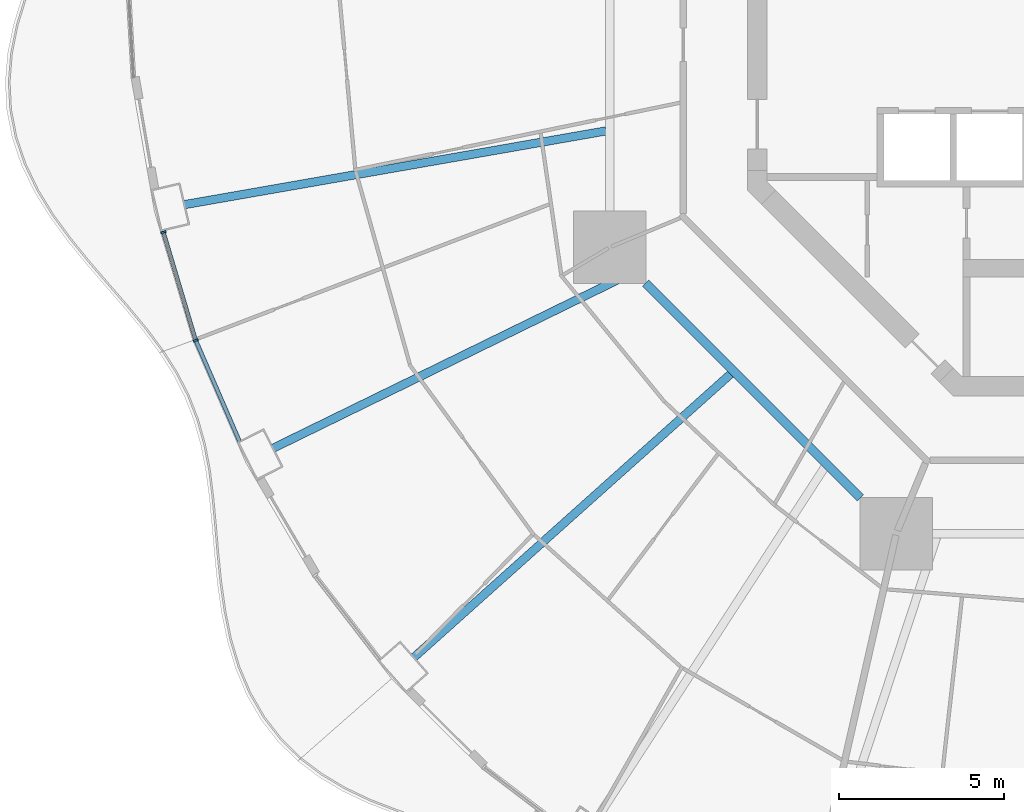
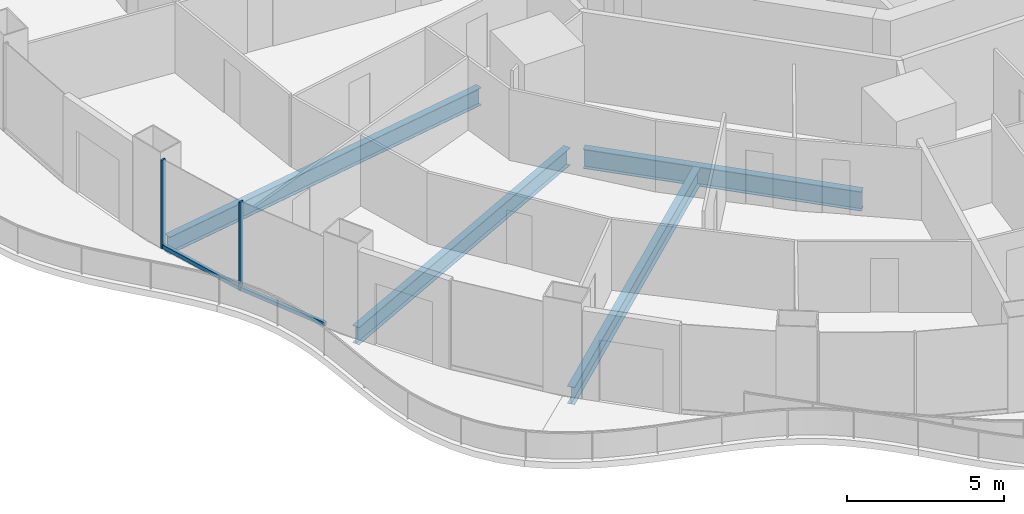
# One storey, part 3 of 22: 4 beams, 4 members, 2 elements without a shape of their own.
"""IFC4 building model written with IfcOpenShell, lengths in metres."""

from ifc_helpers import new_model, si_unit, direction, frame, origin, origin_2d, place, context, subcontext, project, spatial, rectangle, i_section, extrude, material, layer, layer_set, material_profile, profile_set, type_object, element, aggregate, save


model = new_model("IFC4")

# Units and contexts
model_context = context("Model", 3, precision=1e-05, world=origin(), true_north=direction((0.0, 1.0)))
body_context = subcontext(model_context, "Body", "Model", "MODEL_VIEW")
ifc_project = project(units=[si_unit("LENGTHUNIT", "METRE"), si_unit("AREAUNIT", "SQUARE_METRE"), si_unit("VOLUMEUNIT", "CUBIC_METRE"), si_unit("PLANEANGLEUNIT", "RADIAN"), si_unit("MASSUNIT", "GRAM", prefix="KILO")], contexts=[model_context])

# Site, building, storey
site_placement = place(None, origin())
site = spatial("IfcSite", under=ifc_project, at=site_placement, CompositionType="ELEMENT")
building_placement = place(site_placement, origin())
building = spatial("IfcBuilding", under=site, at=building_placement, Name="Nagisa Residences", CompositionType="ELEMENT")
storey_placement = place(building_placement, frame((0.0, 0.0, 73.300048828125)))
storey = spatial("IfcBuildingStorey", under=building, at=storey_placement, Name="L17", CompositionType="ELEMENT", Elevation=73.300048828125)

# Curtain wall, member
ifc_material_1 = material(Name="Concrete-coloured aluminium curtain wall system", Category="concrete")
ifc_layer = layer(ifc_material_1, 0.159912109375)
ifc_layer_set = layer_set([ifc_layer], Name="CW1 CURTAIN WALL")
curtain_wall_type = type_object("IfcCurtainWallType", Name="CW1 CURTAIN WALL", PredefinedType="NOTDEFINED", material=ifc_layer_set)
curtain_wall_1_placement = place(storey_placement, origin())
curtain_wall_1 = element("IfcCurtainWall", 1, at=curtain_wall_1_placement, inside=storey, type_object=curtain_wall_type, Name="cw:CW1:L17:26", PredefinedType="NOTDEFINED")
ifc_material_2 = material(Name="Concrete-coloured aluminium", Category="concrete")
ifc_material_profile_1 = material_profile(ifc_material_2, rectangle(XDim=0.159912109375, YDim=0.06005859375, at=origin_2d()), Name="CW1 MULLION 160x60")
ifc_profile_set_1 = profile_set([ifc_material_profile_1], Name="Concrete-coloured aluminium")
member_type_1 = type_object("IfcMemberType", Name="CW1 MULLION 160x60", PredefinedType="MULLION", material=ifc_profile_set_1)
member_1_placement = place(storey_placement, frame((-28.2802734375, -5.667724609375, 0.0), z_axis=(0.0, 0.0, 1.0), x_axis=(0.958271310082, 0.285860274038, 0.0)))
member_1 = element("IfcMember", 2, at=member_1_placement, type_object=member_type_1, Name="CW1 mullion", PredefinedType="MULLION", context=body_context, shape_type="SweptSolid", body=[
    extrude(rectangle(XDim=0.159912109375, YDim=0.06005859375, at=origin_2d()), origin(), (0.0, 0.0, 1.0), 3.43994140625),
])

curtain_wall_2_placement = place(storey_placement, origin())
curtain_wall_2 = element("IfcCurtainWall", 3, at=curtain_wall_2_placement, inside=storey, type_object=curtain_wall_type, Name="cw:CW1:L17:27", PredefinedType="NOTDEFINED")
member_2_placement = place(storey_placement, frame((-27.301513671875, -8.938232421875, 0.0), z_axis=(0.0, 0.0, 1.0), x_axis=(0.917543276295, 0.397635934147, 0.0)))
member_2 = element("IfcMember", 4, at=member_2_placement, type_object=member_type_1, Name="CW1 mullion", PredefinedType="MULLION", context=body_context, shape_type="SweptSolid", body=[
    extrude(rectangle(XDim=0.159912109375, YDim=0.06005859375, at=origin_2d()), origin(), (0.0, 0.0, 1.0), 3.43994140625),
])

# Member
ifc_material_3 = material(Name="Concrete-coloured aluminium", Category="concrete")
ifc_material_profile_2 = material_profile(ifc_material_3, rectangle(XDim=0.1201171875, YDim=0.14990234375, at=origin_2d()), Name="CW1 TRANSOM 120x150")
ifc_profile_set_2 = profile_set([ifc_material_profile_2], Name="Concrete-coloured aluminium")
member_type_2 = type_object("IfcMemberType", Name="CW1 TRANSOM 120x150", PredefinedType="USERDEFINED", material=ifc_profile_set_2)
member_3_placement = place(storey_placement, frame((-28.288818359375, -5.638916015625, 0.074951171875), z_axis=(0.285816610469, -0.958284334203, 0.0), x_axis=(0.958284334203, 0.285816610469, 0.0)))
member_3 = element("IfcMember", 5, at=member_3_placement, type_object=member_type_2, Name="CW1 transom", ObjectType="TRANSOM", PredefinedType="USERDEFINED", context=body_context, shape_type="SweptSolid", body=[
    extrude(rectangle(XDim=0.1201171875, YDim=0.14990234375, at=origin_2d()), origin(), (0.0, 0.0, 1.0), 3.423583984375),
])

aggregate(curtain_wall_1, [member_1, member_3])

member_4_placement = place(storey_placement, frame((-27.3134765625, -8.91064453125, 0.074951171875), z_axis=(0.397621629246, -0.917549475481, 0.0), x_axis=(0.917549475481, 0.397621629246, 0.0)))
member_4 = element("IfcMember", 6, at=member_4_placement, type_object=member_type_2, Name="CW1 transom", ObjectType="TRANSOM", PredefinedType="USERDEFINED", context=body_context, shape_type="SweptSolid", body=[
    extrude(rectangle(XDim=0.1201171875, YDim=0.14990234375, at=origin_2d()), origin(), (0.0, 0.0, 1.0), 3.37939453125),
])

aggregate(curtain_wall_2, [member_2, member_4])

# Beams
ifc_material_4 = material(Name="Steel ASTM A572 Gr 50", Category="steel")
ifc_material_profile_3 = material_profile(ifc_material_4, i_section(OverallWidth=0.264892578125, OverallDepth=0.7529296875, WebThickness=0.01318359375, FlangeThickness=0.01708984375, at=origin_2d()), Name="W760x147")
ifc_profile_set_3 = profile_set([ifc_material_profile_3], Name="Steel ASTM A572 Gr 50")
beam_type_1 = type_object("IfcBeamType", Name="Inner ring beam W760x147", PredefinedType="BEAM", material=ifc_profile_set_3)
beam_1_placement = place(storey_placement, frame((-13.6962890625, -7.208740234375, -0.636474609375), z_axis=(0.707106781187, -0.707106781187, 0.0), x_axis=(0.707106781187, 0.707106781187, 0.0)))
element("IfcBeam", 7, at=beam_1_placement, inside=storey, type_object=beam_type_1, Name="beam:L17:ib5", PredefinedType="BEAM", context=body_context, shape_type="SweptSolid", body=[
    extrude(i_section(OverallWidth=0.264892578125, OverallDepth=0.7529296875, WebThickness=0.01318359375, FlangeThickness=0.01708984375, at=origin_2d()), origin(), (0.0, 0.0, 1.0), 9.1748046875),
])
ifc_material_5 = material(Name="Steel ASTM A572 Gr 50", Category="steel")
ifc_material_profile_4 = material_profile(ifc_material_5, i_section(OverallWidth=0.2529296875, OverallDepth=0.677978515625, WebThickness=0.01171875, FlangeThickness=0.016357421875, at=origin_2d()), Name="W690x125")
ifc_profile_set_4 = profile_set([ifc_material_profile_4], Name="Steel ASTM A572 Gr 50")
beam_type_2 = type_object("IfcBeamType", Name="Radial beam W690x125", PredefinedType="BEAM", material=ifc_profile_set_4)
beam_2_placement = place(storey_placement, frame((-27.64404296875, -4.83544921875, -0.59912109375), z_axis=(0.985042235616, 0.172313069883, 0.0), x_axis=(-0.172313069883, 0.985042235616, 0.0)))
element("IfcBeam", 8, at=beam_2_placement, inside=storey, type_object=beam_type_2, Name="beam:L17:rb14", PredefinedType="BEAM", context=body_context, shape_type="SweptSolid", body=[
    extrude(i_section(OverallWidth=0.2529296875, OverallDepth=0.677978515625, WebThickness=0.01171875, FlangeThickness=0.016357421875, at=origin_2d()), origin(), (0.0, 0.0, 1.0), 12.94287109375),
])
beam_3_placement = place(storey_placement, frame((-24.965087890625, -12.200927734375, -0.59912109375), z_axis=(0.898446773802, 0.439082446296, 0.0), x_axis=(-0.439082446296, 0.898446773802, 0.0)))
element("IfcBeam", 9, at=beam_3_placement, inside=storey, type_object=beam_type_2, Name="beam:L17:rb15", PredefinedType="BEAM", context=body_context, shape_type="SweptSolid", body=[
    extrude(i_section(OverallWidth=0.2529296875, OverallDepth=0.677978515625, WebThickness=0.01171875, FlangeThickness=0.016357421875, at=origin_2d()), origin(), (0.0, 0.0, 1.0), 12.037353515625),
])
beam_4_placement = place(storey_placement, frame((-20.709228515625, -18.526611328125, -0.59912109375), z_axis=(0.745284973843, 0.666746059428, 0.0), x_axis=(-0.666746059428, 0.745284973843, 0.0)))
element("IfcBeam", 10, at=beam_4_placement, inside=storey, type_object=beam_type_2, Name="beam:L17:rb16", PredefinedType="BEAM", context=body_context, shape_type="SweptSolid", body=[
    extrude(i_section(OverallWidth=0.2529296875, OverallDepth=0.677978515625, WebThickness=0.01171875, FlangeThickness=0.016357421875, at=origin_2d()), origin(), (0.0, 0.0, 1.0), 12.869384765625),
])

save(model, "model.ifc")
